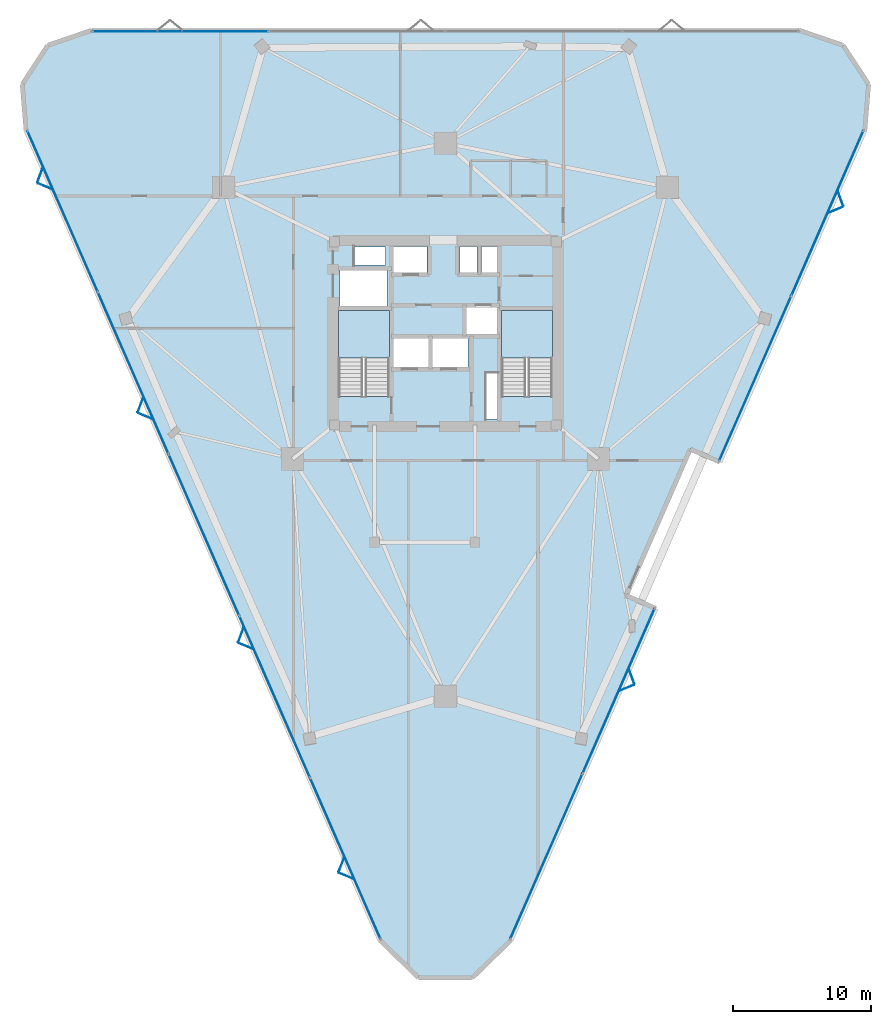
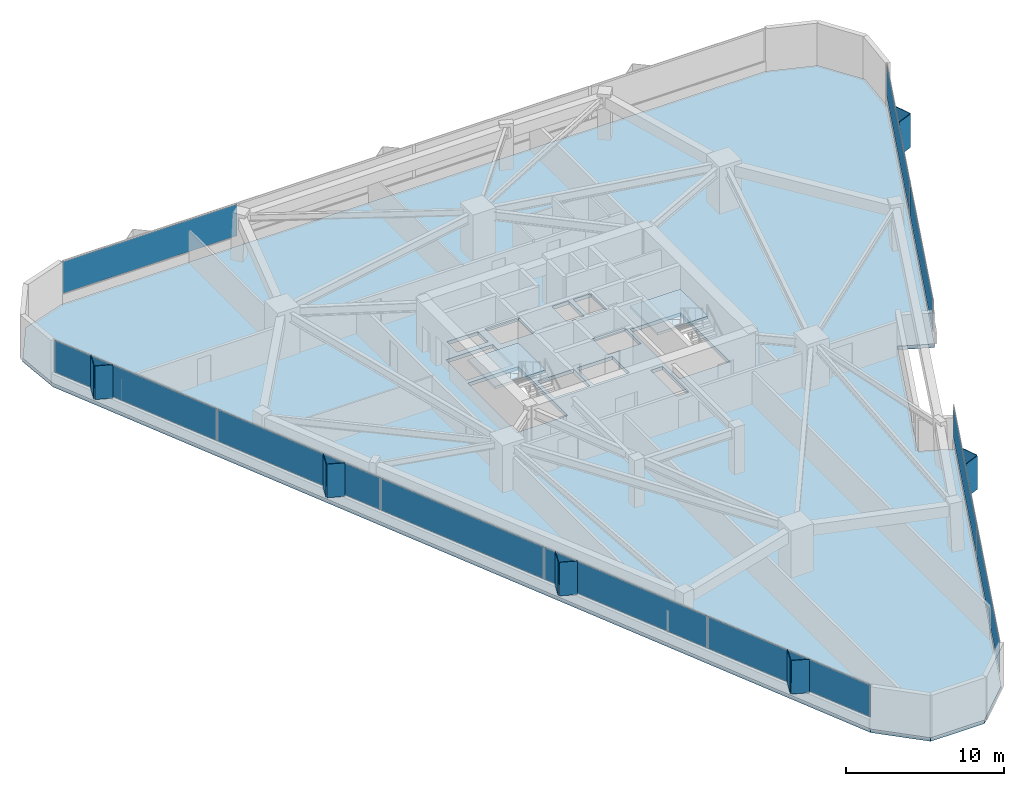
# One storey, part 9 of 13: 22 plates, 3 slabs, 6 elements without a shape of their own.
"""IFC4 building model written with IfcOpenShell, lengths in metres."""

from ifc_helpers import new_model, si_unit, direction, frame, origin, origin_2d, place, context, subcontext, project, spatial, polyline, rectangle, outline, extrude, material, layer, layer_set, type_object, element, aggregate, save


model = new_model("IFC4")

# Units and contexts
model_context = context("Model", 3, precision=1e-05, world=origin(), true_north=direction((0.0, 1.0)))
body_context = subcontext(model_context, "Body", "Model", "MODEL_VIEW")
ifc_project = project(units=[si_unit("LENGTHUNIT", "METRE"), si_unit("AREAUNIT", "SQUARE_METRE"), si_unit("VOLUMEUNIT", "CUBIC_METRE"), si_unit("PLANEANGLEUNIT", "RADIAN"), si_unit("MASSUNIT", "GRAM", prefix="KILO")], contexts=[model_context])

# Site, building, storey
site_placement = place(None, origin())
site = spatial("IfcSite", under=ifc_project, at=site_placement, CompositionType="ELEMENT")
building_placement = place(site_placement, origin())
building = spatial("IfcBuilding", under=site, at=building_placement, Name="Talyreon Biosciences Tower", CompositionType="ELEMENT")
storey_placement = place(building_placement, frame((0.0, 0.0, 104.199951171875)))
storey = spatial("IfcBuildingStorey", under=building, at=storey_placement, Name="L27", CompositionType="ELEMENT", Elevation=104.199951171875)

# Curtain wall, plate
ifc_material_1 = material(Name="Thermally broken aluminium and low-E glazing", Category="aluminium")
ifc_layer_1 = layer(ifc_material_1, 0.205078125)
ifc_layer_set_1 = layer_set([ifc_layer_1], Name="Thermally broken aluminium and low-E glazing")
curtain_wall_type = type_object("IfcCurtainWallType", Name="CurtainWall_SkyGardenLoggia", PredefinedType="NOTDEFINED", material=ifc_layer_set_1)
curtain_wall_1_placement = place(storey_placement, origin())
curtain_wall_1 = element("IfcCurtainWall", 1, at=curtain_wall_1_placement, inside=storey, type_object=curtain_wall_type, Name="L27 Unitised Curtain Wall FCW-L27-03", PredefinedType="NOTDEFINED")
ifc_material_2 = material(Name="Acoustic laminated low-E insulated glazing", Category="glass")
ifc_layer_2 = layer(ifc_material_2, 0.0380859375)
ifc_layer_set_2 = layer_set([ifc_layer_2], Name="Acoustic laminated low-E insulated glazing")
plate_type_1 = type_object("IfcPlateType", Name="CWGlazingPanel_38", PredefinedType="CURTAIN_PANEL", material=ifc_layer_set_2)
plate_1_placement = place(storey_placement, frame((46.7783203125, 89.906494140625, 0.875), z_axis=(0.0, 0.0, 1.0), x_axis=(1.0, 0.0, 0.0)))
plate_1 = element("IfcPlate", 2, at=plate_1_placement, type_object=plate_type_1, Name="CW7 panel 1.1", PredefinedType="CURTAIN_PANEL", context=body_context, shape_type="SweptSolid", body=[
    extrude(rectangle(XDim=12.71435546875, YDim=0.0380859375, at=origin_2d()), origin(), (0.0, 0.0, 1.0), 2.43505859375),
])
aggregate(curtain_wall_1, [plate_1])

# Curtain wall, plates
curtain_wall_2_placement = place(storey_placement, origin())
curtain_wall_2 = element("IfcCurtainWall", 3, at=curtain_wall_2_placement, inside=storey, type_object=curtain_wall_type, Name="L27 Unitised Curtain Wall FCW-L27-07", PredefinedType="NOTDEFINED")
plate_2_placement = place(storey_placement, frame((93.7119140625, 76.708984375, 0.875), z_axis=(0.0, 0.0, 1.0), x_axis=(-0.40038510043, -0.916346971051, 0.0)))
plate_2 = element("IfcPlate", 4, at=plate_2_placement, type_object=plate_type_1, Name="CW7 panel 1.1", PredefinedType="CURTAIN_PANEL", context=body_context, shape_type="SweptSolid", body=[
    extrude(rectangle(XDim=13.005615234375, YDim=0.0380859375, at=origin_2d()), origin(), (0.0, 0.0, 1.0), 2.43505859375),
])
plate_3_placement = place(storey_placement, frame((88.474609375, 64.72265625, 0.875), z_axis=(0.0, 0.0, 1.0), x_axis=(-0.40038510043, -0.916346971051, 0.0)))
plate_3 = element("IfcPlate", 5, at=plate_3_placement, type_object=plate_type_1, Name="CW7 panel 2.1", PredefinedType="CURTAIN_PANEL", context=body_context, shape_type="SweptSolid", body=[
    extrude(rectangle(XDim=13.005615234375, YDim=0.0380859375, at=origin_2d()), origin(), (0.0, 0.0, 1.0), 2.43505859375),
])
aggregate(curtain_wall_2, [plate_2, plate_3])

curtain_wall_3_placement = place(storey_placement, origin())
curtain_wall_3 = element("IfcCurtainWall", 6, at=curtain_wall_3_placement, inside=storey, type_object=curtain_wall_type, Name="L27 Unitised Curtain Wall FCW-L27-11", PredefinedType="NOTDEFINED")
plate_4_placement = place(storey_placement, frame((78.562744140625, 42.037841796875, 0.875), z_axis=(0.0, 0.0, 1.0), x_axis=(-0.400388300937, -0.916345572627, 0.0)))
plate_4 = element("IfcPlate", 7, at=plate_4_placement, type_object=plate_type_1, Name="CW7 panel 1.1", PredefinedType="CURTAIN_PANEL", context=body_context, shape_type="SweptSolid", body=[
    extrude(rectangle(XDim=13.005615234375, YDim=0.0380859375, at=origin_2d()), origin(), (0.0, 0.0, 1.0), 2.43505859375),
])
plate_5_placement = place(storey_placement, frame((73.325439453125, 30.051513671875, 0.875), z_axis=(0.0, 0.0, 1.0), x_axis=(-0.400388300937, -0.916345572627, 0.0)))
plate_5 = element("IfcPlate", 8, at=plate_5_placement, type_object=plate_type_1, Name="CW7 panel 2.1", PredefinedType="CURTAIN_PANEL", context=body_context, shape_type="SweptSolid", body=[
    extrude(rectangle(XDim=13.005615234375, YDim=0.0380859375, at=origin_2d()), origin(), (0.0, 0.0, 1.0), 2.43505859375),
])
aggregate(curtain_wall_3, [plate_4, plate_5])

curtain_wall_4_placement = place(storey_placement, origin())
curtain_wall_4 = element("IfcCurtainWall", 9, at=curtain_wall_4_placement, inside=storey, type_object=curtain_wall_type, Name="L27 Unitised Curtain Wall FCW-L27-15", PredefinedType="NOTDEFINED")
plate_6_placement = place(storey_placement, frame((58.7353515625, 29.912353515625, 0.875), z_axis=(0.0, 0.0, 1.0), x_axis=(-0.400386983653, 0.9163461482, 0.0)))
plate_6 = element("IfcPlate", 10, at=plate_6_placement, type_object=plate_type_1, Name="CW7 panel 1.1", PredefinedType="CURTAIN_PANEL", context=body_context, shape_type="SweptSolid", body=[
    extrude(rectangle(XDim=12.701904296875, YDim=0.0380859375, at=origin_2d()), origin(), (0.0, 0.0, 1.0), 2.43505859375),
])
plate_7_placement = place(storey_placement, frame((53.612060546875, 41.6376953125, 0.875), z_axis=(0.0, 0.0, 1.0), x_axis=(-0.400386983653, 0.9163461482, 0.0)))
plate_7 = element("IfcPlate", 11, at=plate_7_placement, type_object=plate_type_1, Name="CW7 panel 2.1", PredefinedType="CURTAIN_PANEL", context=body_context, shape_type="SweptSolid", body=[
    extrude(rectangle(XDim=12.739501953125, YDim=0.0380859375, at=origin_2d()), origin(), (0.0, 0.0, 1.0), 2.43505859375),
])
plate_8_placement = place(storey_placement, frame((48.4814453125, 53.38037109375, 0.875), z_axis=(0.0, 0.0, 1.0), x_axis=(-0.400386983653, 0.9163461482, 0.0)))
plate_8 = element("IfcPlate", 12, at=plate_8_placement, type_object=plate_type_1, Name="CW7 panel 3.1", PredefinedType="CURTAIN_PANEL", context=body_context, shape_type="SweptSolid", body=[
    extrude(rectangle(XDim=12.739501953125, YDim=0.0380859375, at=origin_2d()), origin(), (0.0, 0.0, 1.0), 2.43505859375),
])
plate_9_placement = place(storey_placement, frame((43.3505859375, 65.122802734375, 0.875), z_axis=(0.0, 0.0, 1.0), x_axis=(-0.400386983653, 0.9163461482, 0.0)))
plate_9 = element("IfcPlate", 13, at=plate_9_placement, type_object=plate_type_1, Name="CW7 panel 4.1", PredefinedType="CURTAIN_PANEL", context=body_context, shape_type="SweptSolid", body=[
    extrude(rectangle(XDim=12.739501953125, YDim=0.0380859375, at=origin_2d()), origin(), (0.0, 0.0, 1.0), 2.43505859375),
])
plate_10_placement = place(storey_placement, frame((38.227294921875, 76.84814453125, 0.875), z_axis=(0.0, 0.0, 1.0), x_axis=(-0.400386983653, 0.9163461482, 0.0)))
plate_10 = element("IfcPlate", 14, at=plate_10_placement, type_object=plate_type_1, Name="CW7 panel 5.1", PredefinedType="CURTAIN_PANEL", context=body_context, shape_type="SweptSolid", body=[
    extrude(rectangle(XDim=12.701904296875, YDim=0.0380859375, at=origin_2d()), origin(), (0.0, 0.0, 1.0), 2.43505859375),
])
aggregate(curtain_wall_4, [plate_6, plate_7, plate_8, plate_9, plate_10])

# Plates
ifc_material_3 = material(Name="Ivory GFRC sunshade panel", Category="concrete")
ifc_layer_3 = layer(ifc_material_3, 0.044921875)
ifc_layer_set_3 = layer_set([ifc_layer_3], Name="Ivory GFRC sunshade panel")
plate_type_2 = type_object("IfcPlateType", Name="FoldedVSunshade_SunFace_SUNSHADE", PredefinedType="USERDEFINED", material=ifc_layer_set_3)
for number, where, z_axis, x_axis, name in (
    (15, (94.65869140625, 77.777099609375, 0.7900390625), (0.0, 0.0, 1.0), (0.348539329796, -0.937294156381, 0.0), "L27 Folded V-Sunshade Panel 07.01L"),
    (16, (94.29833984375, 76.952392578125, 0.7900390625), (0.0, 0.0, 1.0), (-0.924559334915, -0.381038103373, 0.0), "L27 Folded V-Sunshade Panel 07.01R"),
    (17, (79.509521484375, 43.10595703125, 0.7900390625), (0.0, 0.0, 1.0), (0.348539329796, -0.937294156381, 0.0), "L27 Folded V-Sunshade Panel 11.01L"),
    (18, (79.149169921875, 42.28125, 0.7900390625), (0.0, 0.0, 1.0), (-0.924559334915, -0.381038103373, 0.0), "L27 Folded V-Sunshade Panel 11.01R"),
    (19, (58.815185546875, 28.631103515625, 0.7900390625), (0.0, 0.0, 1.0), (-0.924559334915, 0.381038103373, 0.0), "L27 Folded V-Sunshade Panel 15.01L"),
    (20, (58.45458984375, 29.455810546875, 0.7900390625), (0.0, 0.0, 1.0), (0.348539329796, 0.937294156381, 0.0), "L27 Folded V-Sunshade Panel 15.01R"),
    (21, (51.528076171875, 45.30859375, 0.7900390625), (0.0, 0.0, 1.0), (-0.924559334915, 0.381038103373, 0.0), "L27 Folded V-Sunshade Panel 15.02L"),
    (22, (51.167724609375, 46.13330078125, 0.7900390625), (0.0, 0.0, 1.0), (0.348539329796, 0.937294156381, 0.0), "L27 Folded V-Sunshade Panel 15.02R"),
    (23, (44.240966796875, 61.986083984375, 0.7900390625), (0.0, 0.0, 1.0), (-0.924559334915, 0.381038103373, 0.0), "L27 Folded V-Sunshade Panel 15.03L"),
    (24, (43.880615234375, 62.810791015625, 0.7900390625), (0.0, 0.0, 1.0), (0.348539329796, 0.937294156381, 0.0), "L27 Folded V-Sunshade Panel 15.03R"),
    (25, (36.9541015625, 78.663818359375, 0.7900390625), (0.0, 0.0, 1.0), (-0.924559334915, 0.381038103373, 0.0), "L27 Folded V-Sunshade Panel 15.04L"),
    (26, (36.593505859375, 79.48828125, 0.7900390625), (0.0, 0.0, 1.0), (0.348539329796, 0.937294156381, 0.0), "L27 Folded V-Sunshade Panel 15.04R"),
):
    element("IfcPlate", number, at=place(storey_placement, frame(where, z_axis=z_axis, x_axis=x_axis)), inside=storey, type_object=plate_type_2, Name=name, ObjectType="SUNSHADE", PredefinedType="USERDEFINED", context=body_context, shape_type="SweptSolid", body=[
        extrude(rectangle(XDim=1.14990234375, YDim=0.044921875, at=origin_2d()), origin(), (0.0, 0.0, 1.0), 2.5849609375),
    ])

# Stair, slab
ifc_material_4 = material(Name="Concrete C40/50", Category="concrete")
stair_type = type_object("IfcStairType", Name="DoglegEscapeStair_3650", PredefinedType="HALF_TURN_STAIR", material=ifc_material_4)
stair_1_placement = place(storey_placement, origin())
stair_1 = element("IfcStair", 27, at=stair_1_placement, inside=storey, type_object=stair_type, Name="L27 Core Escape Stair 1", PredefinedType="HALF_TURN_STAIR")
ifc_layer_4 = layer(ifc_material_4, 0.199951171875)
ifc_layer_set_4 = layer_set([ifc_layer_4], Name="Concrete C40/50")
slab_type_1 = type_object("IfcSlabType", Name="StairLandingSlab_200", PredefinedType="LANDING", material=ifc_layer_set_4)
slab_1_placement = place(storey_placement, frame((0.0, 0.0, 1.625)))
slab_1 = element("IfcSlab", 28, at=slab_1_placement, type_object=slab_type_1, Name="ST-1 landing 1", PredefinedType="LANDING", context=body_context, shape_type="SweptSolid", body=[
    extrude(outline(polyline([(61.929931640625, 66.199951171875), (61.929931640625, 69.64990234375), (58.25, 69.64990234375), (58.25, 66.199951171875), (61.929931640625, 66.199951171875)])), origin(), (0.0, 0.0, 1.0), 0.199951171875),
])
aggregate(stair_1, [slab_1])

stair_2_placement = place(storey_placement, origin())
stair_2 = element("IfcStair", 29, at=stair_2_placement, inside=storey, type_object=stair_type, Name="L27 Core Escape Stair 2", PredefinedType="HALF_TURN_STAIR")
slab_2_placement = place(storey_placement, frame((0.0, 0.0, 1.625)))
slab_2 = element("IfcSlab", 30, at=slab_2_placement, type_object=slab_type_1, Name="ST-2 landing 1", PredefinedType="LANDING", context=body_context, shape_type="SweptSolid", body=[
    extrude(outline(polyline([(73.75, 66.199951171875), (73.75, 69.64990234375), (70.070068359375, 69.64990234375), (70.070068359375, 66.199951171875), (73.75, 66.199951171875)])), origin(), (0.0, 0.0, 1.0), 0.199951171875),
])
aggregate(stair_2, [slab_2])

# Slab
ifc_layer_5 = layer(ifc_material_4, 0.27490234375)
ifc_layer_set_5 = layer_set([ifc_layer_5], Name="Concrete C40/50")
slab_type_2 = type_object("IfcSlabType", Name="WetLabFloorSlab_275", PredefinedType="FLOOR", material=ifc_layer_set_5)
slab_3_placement = place(storey_placement, frame((0.0, 0.0, -0.27490234375)))
element("IfcSlab", 31, at=slab_3_placement, inside=storey, type_object=slab_type_2, Name="L27 Structural Floor Slab", PredefinedType="FLOOR", context=body_context, shape_type="SweptSolid", body=[
    extrude(outline(polyline([(35.581298828125, 82.70458984375), (35.306396484375, 86.068115234375), (37.154296875, 88.8916015625), (40.34619140625, 89.986572265625), (91.65380859375, 89.986572265625), (94.845703125, 88.8916015625), (96.693603515625, 86.068115234375), (96.418701171875, 82.70458984375), (85.914306640625, 58.6630859375), (83.7607421875, 59.60400390625), (79.1162109375, 48.974365234375), (81.269775390625, 48.033447265625), (70.764892578125, 23.991943359375), (67.958984375, 21.257080078125), (64.041015625, 21.257080078125), (61.235107421875, 23.991943359375), (35.581298828125, 82.70458984375)]), holes=[polyline([(61.929931640625, 69.64990234375), (61.929931640625, 63.407958984375), (58.25, 63.407958984375), (58.25, 69.64990234375), (61.929931640625, 69.64990234375)]), polyline([(64.800048828125, 67.64990234375), (64.800048828125, 65.550048828125), (62.199951171875, 65.550048828125), (62.199951171875, 67.64990234375), (64.800048828125, 67.64990234375)]), polyline([(67.64990234375, 67.64990234375), (67.64990234375, 65.550048828125), (65.050048828125, 65.550048828125), (65.050048828125, 67.64990234375), (67.64990234375, 67.64990234375)]), polyline([(61.75, 69.97998046875), (58.35009765625, 69.97998046875), (58.35009765625, 72.550048828125), (61.75, 72.550048828125), (61.75, 69.97998046875)]), polyline([(64.64990234375, 72.35009765625), (62.199951171875, 72.35009765625), (62.199951171875, 74.300048828125), (64.64990234375, 74.300048828125), (64.64990234375, 72.35009765625)]), polyline([(61.64990234375, 74.25), (61.64990234375, 72.9599609375), (59.39990234375, 72.9599609375), (59.39990234375, 74.25), (61.64990234375, 74.25)]), polyline([(69.820068359375, 61.800048828125), (68.9599609375, 61.800048828125), (68.9599609375, 65.10009765625), (69.820068359375, 65.10009765625), (69.820068359375, 61.800048828125)]), polyline([(73.75, 63.407958984375), (70.070068359375, 63.407958984375), (70.070068359375, 69.64990234375), (73.75, 69.64990234375), (73.75, 63.407958984375)]), polyline([(69.89990234375, 69.949951171875), (69.89990234375, 67.949951171875), (67.5, 67.949951171875), (67.5, 69.949951171875), (69.89990234375, 69.949951171875)]), polyline([(68.300048828125, 72.35009765625), (67.050048828125, 72.35009765625), (67.050048828125, 74.300048828125), (68.300048828125, 74.300048828125), (68.300048828125, 72.35009765625)]), polyline([(69.919921875, 72.35009765625), (68.6201171875, 72.35009765625), (68.6201171875, 74.300048828125), (69.919921875, 74.300048828125), (69.919921875, 72.35009765625)])]), origin(), (0.0, 0.0, 1.0), 0.27490234375),
])

save(model, "model.ifc")
